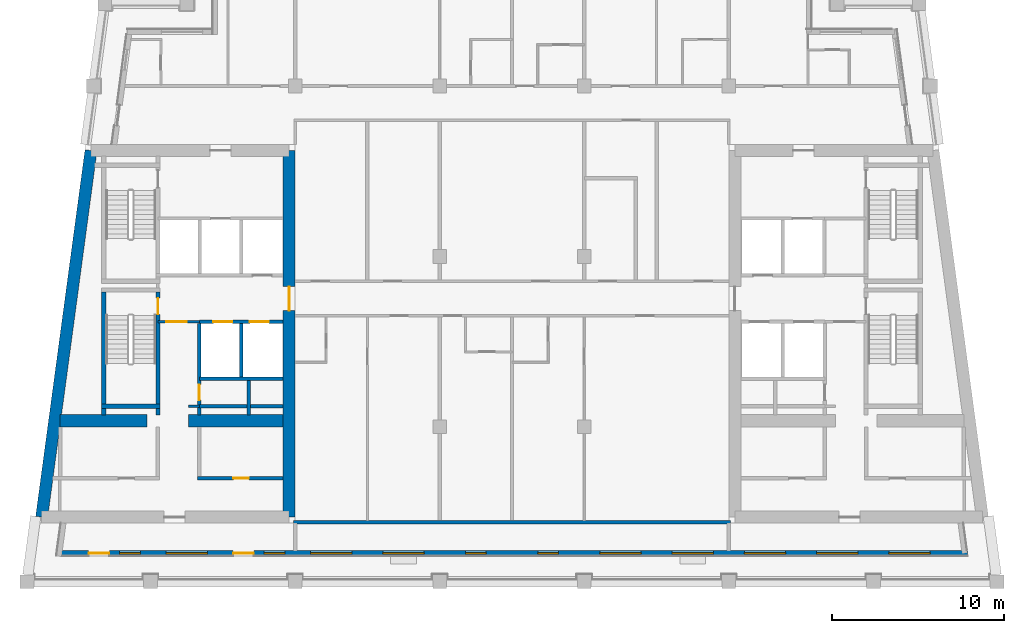
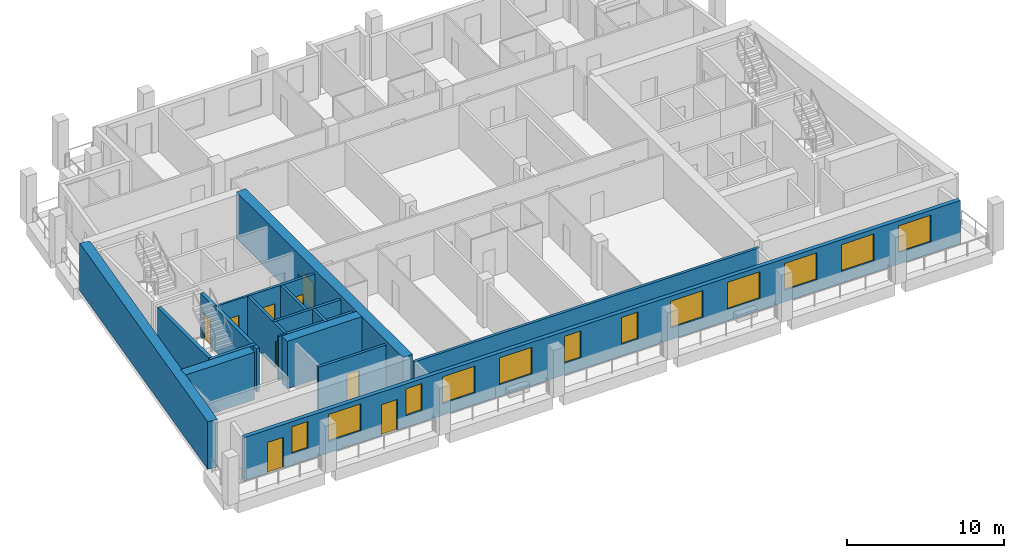
# One storey, part 2 of 13: 18 walls, 12 windows, 9 doors, 21 openings.
"""IFC4 building model written with IfcOpenShell, lengths in metres."""

from ifc_helpers import new_model, si_unit, direction, frame, frame_2d, origin, place, context, subcontext, project, spatial, rectangle, extrude, material, layer, layer_set, type_object, element, fill, save


model = new_model("IFC4")

# Units and contexts
model_context = context("Model", 3, precision=1e-05, world=origin(), true_north=direction((0.0, 1.0)))
body_context = subcontext(model_context, "Body", "Model", "MODEL_VIEW")
ifc_project = project(units=[si_unit("LENGTHUNIT", "METRE"), si_unit("AREAUNIT", "SQUARE_METRE"), si_unit("VOLUMEUNIT", "CUBIC_METRE"), si_unit("PLANEANGLEUNIT", "RADIAN"), si_unit("MASSUNIT", "GRAM", prefix="KILO")], contexts=[model_context])

# Site, building, storey
site_placement = place(None, origin())
site = spatial("IfcSite", under=ifc_project, at=site_placement, CompositionType="ELEMENT")
building_placement = place(site_placement, origin())
building = spatial("IfcBuilding", under=site, at=building_placement, Name="Candeia Pilgrim Tower and Theatre", CompositionType="ELEMENT")
storey_placement = place(building_placement, frame((0.0, 0.0, 262.699951171875)))
storey = spatial("IfcBuildingStorey", under=building, at=storey_placement, Name="L63", CompositionType="ELEMENT", Elevation=262.699951171875)

# Wall, opening, door
ifc_material_1 = material(Name="Concrete C40/50", Category="concrete")
ifc_layer_1 = layer(ifc_material_1, 0.699951171875)
ifc_layer_set_1 = layer_set([ifc_layer_1], Name="Core wall 700 C40/50")
wall_type_1 = type_object("IfcWallType", Name="Core wall 700 C40/50", PredefinedType="SHEAR", material=ifc_layer_set_1)
wall_1_placement = place(storey_placement, frame((100.449951171875, 132.050048828125, 0.0), z_axis=(0.0, 0.0, 1.0), x_axis=(0.0, -1.0, 0.0)))
wall_1 = element("IfcWall", 1, at=wall_1_placement, inside=storey, type_object=wall_type_1, Name="Core wall W2", PredefinedType="SHEAR", context=body_context, shape_type="SweptSolid", body=[
    extrude(rectangle(XDim=21.300048828125, YDim=0.699951171875, at=frame_2d((10.64990234375, 0.0))), origin(), (0.0, 0.0, 1.0), 3.699951171875),
])
opening_1_placement = place(wall_1_placement, frame((7.89990234375, 0.0, 0.0)))
opening_1 = element("IfcOpeningElement", 2, at=opening_1_placement, cuts=wall_1, Name="Opening L63-D044", PredefinedType="OPENING", context=body_context, shape_type="SweptSolid", body=[
    extrude(rectangle(XDim=1.39990234375, YDim=2.10009765625, at=frame_2d((0.699951171875, 1.050048828125))), frame((0.0, 0.35986328125, 0.0), z_axis=(0.0, -1.0, 0.0), x_axis=(1.0, 0.0, 0.0)), (0.0, 0.0, 1.0), 0.719970703125),
])
ifc_material_2 = material(Name="Steel fire door set", Category="steel")
door_type_1 = type_object("IfcDoorType", Name="D-1400-FD60", OperationType="NOTDEFINED", PredefinedType="DOOR", material=ifc_material_2)
door_1_placement = place(opening_1_placement, origin())
door_1 = element("IfcDoor", 3, at=door_1_placement, inside=storey, type_object=door_type_1, Name="Door L63-D044", OperationType="SINGLE_SWING_LEFT", OverallHeight=2.10009765625, OverallWidth=1.39990234375, PredefinedType="DOOR", context=body_context, shape_type="SweptSolid", body=[
    extrude(rectangle(XDim=1.39990234375, YDim=2.10009765625, at=frame_2d((0.699951171875, 1.050048828125))), frame((0.0, 0.02490234375, 0.0), z_axis=(0.0, -1.0, 0.0), x_axis=(1.0, 0.0, 0.0)), (0.0, 0.0, 1.0), 0.050048828125),
])
fill(opening_1, door_1)

# Walls
wall_2_placement = place(storey_placement, frame((86.069580078125, 110.75, 0.0), z_axis=(0.0, 0.0, 1.0), x_axis=(0.133406218907, 0.991061441464, 0.0)))
element("IfcWall", 4, at=wall_2_placement, inside=storey, type_object=wall_type_1, Name="Core wall W4", PredefinedType="SHEAR", context=body_context, shape_type="SweptSolid", body=[
    extrude(rectangle(XDim=21.4921875, YDim=0.699951171875, at=frame_2d((10.74609375, 0.0))), origin(), (0.0, 0.0, 1.0), 3.699951171875),
])
wall_3_placement = place(storey_placement, frame((87.123046875, 116.35009765625, 0.0), z_axis=(0.0, 0.0, 1.0), x_axis=(1.0, 0.0, 0.0)))
element("IfcWall", 5, at=wall_3_placement, inside=storey, type_object=wall_type_1, Name="Core wall W5", PredefinedType="SHEAR", context=body_context, shape_type="SweptSolid", body=[
    extrude(rectangle(XDim=5.076904296875, YDim=0.699951171875, at=frame_2d((2.53857421875, 0.0))), origin(), (0.0, 0.0, 1.0), 3.699951171875),
])
wall_4_placement = place(storey_placement, frame((94.60009765625, 116.35009765625, 0.0), z_axis=(0.0, 0.0, 1.0), x_axis=(1.0, 0.0, 0.0)))
element("IfcWall", 6, at=wall_4_placement, inside=storey, type_object=wall_type_1, Name="Core wall W6", PredefinedType="SHEAR", context=body_context, shape_type="SweptSolid", body=[
    extrude(rectangle(XDim=5.5, YDim=0.699951171875, at=frame_2d((2.75, 0.0))), origin(), (0.0, 0.0, 1.0), 3.699951171875),
])

# Wall, openings, doors, windows
ifc_material_3 = material(Name="Ceramic block masonry", Category="masonry")
ifc_layer_2 = layer(ifc_material_3, 0.300048828125)
ifc_layer_set_2 = layer_set([ifc_layer_2], Name="EW1 glazing-line wall 300")
wall_type_2 = type_object("IfcWallType", Name="EW1 glazing-line wall 300", PredefinedType="SOLIDWALL", material=ifc_layer_set_2)
wall_5_placement = place(storey_placement, frame((87.0986328125, 108.64990234375, 0.0), z_axis=(0.0, 0.0, 1.0), x_axis=(1.0, 0.0, 0.0)))
wall_5 = element("IfcWall", 7, at=wall_5_placement, inside=storey, type_object=wall_type_2, Name="External wall L63-1.0", PredefinedType="SOLIDWALL", context=body_context, shape_type="SweptSolid", body=[
    extrude(rectangle(XDim=52.7744140625, YDim=0.300048828125, at=frame_2d((26.38720703125, 0.0))), origin(), (0.0, 0.0, 1.0), 3.380126953125),
])
opening_2_placement = place(wall_5_placement, frame((1.701416015625, 0.0, 0.0)))
opening_2 = element("IfcOpeningElement", 8, at=opening_2_placement, cuts=wall_5, Name="Opening L63-ED597", PredefinedType="OPENING", context=body_context, shape_type="SweptSolid", body=[
    extrude(rectangle(XDim=1.199951171875, YDim=2.39990234375, at=frame_2d((0.60009765625, 1.199951171875))), frame((0.0, 0.16015625, 0.0), z_axis=(0.0, -1.0, 0.0), x_axis=(1.0, 0.0, 0.0)), (0.0, 0.0, 1.0), 0.320068359375),
])
opening_3_placement = place(wall_5_placement, frame((3.50146484375, 0.0, 0.89990234375)))
opening_3 = element("IfcOpeningElement", 9, at=opening_3_placement, cuts=wall_5, Name="Opening W-B", PredefinedType="OPENING", context=body_context, shape_type="SweptSolid", body=[
    extrude(rectangle(XDim=1.199951171875, YDim=2.10009765625, at=frame_2d((0.60009765625, 1.050048828125))), frame((0.0, 0.16015625, 0.0), z_axis=(0.0, -1.0, 0.0), x_axis=(1.0, 0.0, 0.0)), (0.0, 0.0, 1.0), 0.320068359375),
])
opening_4_placement = place(wall_5_placement, frame((6.201416015625, 0.0, 0.89990234375)))
opening_4 = element("IfcOpeningElement", 10, at=opening_4_placement, cuts=wall_5, Name="Opening W-A", PredefinedType="OPENING", context=body_context, shape_type="SweptSolid", body=[
    extrude(rectangle(XDim=2.39990234375, YDim=2.10009765625, at=frame_2d((1.199951171875, 1.050048828125))), frame((0.0, 0.16015625, 0.0), z_axis=(0.0, -1.0, 0.0), x_axis=(1.0, 0.0, 0.0)), (0.0, 0.0, 1.0), 0.320068359375),
])
opening_5_placement = place(wall_5_placement, frame((10.1015625, 0.0, 0.0)))
opening_5 = element("IfcOpeningElement", 11, at=opening_5_placement, cuts=wall_5, Name="Opening L63-ED598", PredefinedType="OPENING", context=body_context, shape_type="SweptSolid", body=[
    extrude(rectangle(XDim=1.199951171875, YDim=2.39990234375, at=frame_2d((0.60009765625, 1.199951171875))), frame((0.0, 0.16015625, 0.0), z_axis=(0.0, -1.0, 0.0), x_axis=(1.0, 0.0, 0.0)), (0.0, 0.0, 1.0), 0.320068359375),
])
opening_6_placement = place(wall_5_placement, frame((11.9013671875, 0.0, 0.89990234375)))
opening_6 = element("IfcOpeningElement", 12, at=opening_6_placement, cuts=wall_5, Name="Opening W-B", PredefinedType="OPENING", context=body_context, shape_type="SweptSolid", body=[
    extrude(rectangle(XDim=1.199951171875, YDim=2.10009765625, at=frame_2d((0.60009765625, 1.050048828125))), frame((0.0, 0.16015625, 0.0), z_axis=(0.0, -1.0, 0.0), x_axis=(1.0, 0.0, 0.0)), (0.0, 0.0, 1.0), 0.320068359375),
])
opening_7_placement = place(wall_5_placement, frame((14.6015625, 0.0, 0.89990234375)))
opening_7 = element("IfcOpeningElement", 13, at=opening_7_placement, cuts=wall_5, Name="Opening W-A", PredefinedType="OPENING", context=body_context, shape_type="SweptSolid", body=[
    extrude(rectangle(XDim=2.39990234375, YDim=2.10009765625, at=frame_2d((1.199951171875, 1.050048828125))), frame((0.0, 0.16015625, 0.0), z_axis=(0.0, -1.0, 0.0), x_axis=(1.0, 0.0, 0.0)), (0.0, 0.0, 1.0), 0.320068359375),
])
opening_8_placement = place(wall_5_placement, frame((18.801513671875, 0.0, 0.89990234375)))
opening_8 = element("IfcOpeningElement", 14, at=opening_8_placement, cuts=wall_5, Name="Opening W-A", PredefinedType="OPENING", context=body_context, shape_type="SweptSolid", body=[
    extrude(rectangle(XDim=2.39990234375, YDim=2.10009765625, at=frame_2d((1.199951171875, 1.050048828125))), frame((0.0, 0.16015625, 0.0), z_axis=(0.0, -1.0, 0.0), x_axis=(1.0, 0.0, 0.0)), (0.0, 0.0, 1.0), 0.320068359375),
])
opening_9_placement = place(wall_5_placement, frame((23.6015625, 0.0, 0.89990234375)))
opening_9 = element("IfcOpeningElement", 15, at=opening_9_placement, cuts=wall_5, Name="Opening W-B", PredefinedType="OPENING", context=body_context, shape_type="SweptSolid", body=[
    extrude(rectangle(XDim=1.199951171875, YDim=2.10009765625, at=frame_2d((0.60009765625, 1.050048828125))), frame((0.0, 0.16015625, 0.0), z_axis=(0.0, -1.0, 0.0), x_axis=(1.0, 0.0, 0.0)), (0.0, 0.0, 1.0), 0.320068359375),
])
opening_10_placement = place(wall_5_placement, frame((27.801513671875, 0.0, 0.89990234375)))
opening_10 = element("IfcOpeningElement", 16, at=opening_10_placement, cuts=wall_5, Name="Opening W-B", PredefinedType="OPENING", context=body_context, shape_type="SweptSolid", body=[
    extrude(rectangle(XDim=1.199951171875, YDim=2.10009765625, at=frame_2d((0.60009765625, 1.050048828125))), frame((0.0, 0.16015625, 0.0), z_axis=(0.0, -1.0, 0.0), x_axis=(1.0, 0.0, 0.0)), (0.0, 0.0, 1.0), 0.320068359375),
])
opening_11_placement = place(wall_5_placement, frame((31.4013671875, 0.0, 0.89990234375)))
opening_11 = element("IfcOpeningElement", 17, at=opening_11_placement, cuts=wall_5, Name="Opening W-A", PredefinedType="OPENING", context=body_context, shape_type="SweptSolid", body=[
    extrude(rectangle(XDim=2.39990234375, YDim=2.10009765625, at=frame_2d((1.199951171875, 1.050048828125))), frame((0.0, 0.16015625, 0.0), z_axis=(0.0, -1.0, 0.0), x_axis=(1.0, 0.0, 0.0)), (0.0, 0.0, 1.0), 0.320068359375),
])
opening_12_placement = place(wall_5_placement, frame((35.6015625, 0.0, 0.89990234375)))
opening_12 = element("IfcOpeningElement", 18, at=opening_12_placement, cuts=wall_5, Name="Opening W-A", PredefinedType="OPENING", context=body_context, shape_type="SweptSolid", body=[
    extrude(rectangle(XDim=2.39990234375, YDim=2.10009765625, at=frame_2d((1.199951171875, 1.050048828125))), frame((0.0, 0.16015625, 0.0), z_axis=(0.0, -1.0, 0.0), x_axis=(1.0, 0.0, 0.0)), (0.0, 0.0, 1.0), 0.320068359375),
])
opening_13_placement = place(wall_5_placement, frame((39.801513671875, 0.0, 0.89990234375)))
opening_13 = element("IfcOpeningElement", 19, at=opening_13_placement, cuts=wall_5, Name="Opening W-A", PredefinedType="OPENING", context=body_context, shape_type="SweptSolid", body=[
    extrude(rectangle(XDim=2.39990234375, YDim=2.10009765625, at=frame_2d((1.199951171875, 1.050048828125))), frame((0.0, 0.16015625, 0.0), z_axis=(0.0, -1.0, 0.0), x_axis=(1.0, 0.0, 0.0)), (0.0, 0.0, 1.0), 0.320068359375),
])
opening_14_placement = place(wall_5_placement, frame((44.00146484375, 0.0, 0.89990234375)))
opening_14 = element("IfcOpeningElement", 20, at=opening_14_placement, cuts=wall_5, Name="Opening W-A", PredefinedType="OPENING", context=body_context, shape_type="SweptSolid", body=[
    extrude(rectangle(XDim=2.39990234375, YDim=2.10009765625, at=frame_2d((1.199951171875, 1.050048828125))), frame((0.0, 0.16015625, 0.0), z_axis=(0.0, -1.0, 0.0), x_axis=(1.0, 0.0, 0.0)), (0.0, 0.0, 1.0), 0.320068359375),
])
opening_15_placement = place(wall_5_placement, frame((48.201416015625, 0.0, 0.89990234375)))
opening_15 = element("IfcOpeningElement", 21, at=opening_15_placement, cuts=wall_5, Name="Opening W-A", PredefinedType="OPENING", context=body_context, shape_type="SweptSolid", body=[
    extrude(rectangle(XDim=2.39990234375, YDim=2.10009765625, at=frame_2d((1.199951171875, 1.050048828125))), frame((0.0, 0.16015625, 0.0), z_axis=(0.0, -1.0, 0.0), x_axis=(1.0, 0.0, 0.0)), (0.0, 0.0, 1.0), 0.320068359375),
])
ifc_material_4 = material(Name="Aluminium framed glazed door", Category="aluminium")
door_type_2 = type_object("IfcDoorType", Name="Loggia door 1200x2400", OperationType="DOUBLE_DOOR_SINGLE_SWING", PredefinedType="DOOR", material=ifc_material_4)
door_2_placement = place(opening_2_placement, origin())
door_2 = element("IfcDoor", 22, at=door_2_placement, inside=storey, type_object=door_type_2, Name="Loggia door L63-ED597", OperationType="DOUBLE_DOOR_SINGLE_SWING", OverallHeight=2.39990234375, OverallWidth=1.199951171875, PredefinedType="DOOR", context=body_context, shape_type="SweptSolid", body=[
    extrude(rectangle(XDim=1.199951171875, YDim=2.39990234375, at=frame_2d((0.60009765625, 1.199951171875))), frame((0.0, 0.02490234375, 0.0), z_axis=(0.0, -1.0, 0.0), x_axis=(1.0, 0.0, 0.0)), (0.0, 0.0, 1.0), 0.050048828125),
])
fill(opening_2, door_2)
door_3_placement = place(opening_5_placement, origin())
door_3 = element("IfcDoor", 23, at=door_3_placement, inside=storey, type_object=door_type_2, Name="Loggia door L63-ED598", OperationType="DOUBLE_DOOR_SINGLE_SWING", OverallHeight=2.39990234375, OverallWidth=1.199951171875, PredefinedType="DOOR", context=body_context, shape_type="SweptSolid", body=[
    extrude(rectangle(XDim=1.199951171875, YDim=2.39990234375, at=frame_2d((0.60009765625, 1.199951171875))), frame((0.0, 0.02490234375, 0.0), z_axis=(0.0, -1.0, 0.0), x_axis=(1.0, 0.0, 0.0)), (0.0, 0.0, 1.0), 0.050048828125),
])
fill(opening_5, door_3)
ifc_material_5 = material(Name="Aluminium framed double glazing", Category="aluminium")
window_type_1 = type_object("IfcWindowType", Name="W-A window 2400x2100", PartitioningType="DOUBLE_PANEL_VERTICAL", PredefinedType="WINDOW", material=ifc_material_5)
window_1_placement = place(opening_4_placement, origin())
window_1 = element("IfcWindow", 24, at=window_1_placement, inside=storey, type_object=window_type_1, Name="Window W-A L63", OverallHeight=2.10009765625, OverallWidth=2.39990234375, PartitioningType="SINGLE_PANEL", PredefinedType="WINDOW", context=body_context, shape_type="SweptSolid", body=[
    extrude(rectangle(XDim=2.39990234375, YDim=2.10009765625, at=frame_2d((1.199951171875, 1.050048828125))), frame((0.0, 0.030029296875, 0.0), z_axis=(0.0, -1.0, 0.0), x_axis=(1.0, 0.0, 0.0)), (0.0, 0.0, 1.0), 0.06005859375),
])
fill(opening_4, window_1)
window_2_placement = place(opening_7_placement, origin())
window_2 = element("IfcWindow", 25, at=window_2_placement, inside=storey, type_object=window_type_1, Name="Window W-A L63", OverallHeight=2.10009765625, OverallWidth=2.39990234375, PartitioningType="SINGLE_PANEL", PredefinedType="WINDOW", context=body_context, shape_type="SweptSolid", body=[
    extrude(rectangle(XDim=2.39990234375, YDim=2.10009765625, at=frame_2d((1.199951171875, 1.050048828125))), frame((0.0, 0.030029296875, 0.0), z_axis=(0.0, -1.0, 0.0), x_axis=(1.0, 0.0, 0.0)), (0.0, 0.0, 1.0), 0.06005859375),
])
fill(opening_7, window_2)
window_3_placement = place(opening_8_placement, origin())
window_3 = element("IfcWindow", 26, at=window_3_placement, inside=storey, type_object=window_type_1, Name="Window W-A L63", OverallHeight=2.10009765625, OverallWidth=2.39990234375, PartitioningType="SINGLE_PANEL", PredefinedType="WINDOW", context=body_context, shape_type="SweptSolid", body=[
    extrude(rectangle(XDim=2.39990234375, YDim=2.10009765625, at=frame_2d((1.199951171875, 1.050048828125))), frame((0.0, 0.030029296875, 0.0), z_axis=(0.0, -1.0, 0.0), x_axis=(1.0, 0.0, 0.0)), (0.0, 0.0, 1.0), 0.06005859375),
])
fill(opening_8, window_3)
window_4_placement = place(opening_11_placement, origin())
window_4 = element("IfcWindow", 27, at=window_4_placement, inside=storey, type_object=window_type_1, Name="Window W-A L63", OverallHeight=2.10009765625, OverallWidth=2.39990234375, PartitioningType="SINGLE_PANEL", PredefinedType="WINDOW", context=body_context, shape_type="SweptSolid", body=[
    extrude(rectangle(XDim=2.39990234375, YDim=2.10009765625, at=frame_2d((1.199951171875, 1.050048828125))), frame((0.0, 0.030029296875, 0.0), z_axis=(0.0, -1.0, 0.0), x_axis=(1.0, 0.0, 0.0)), (0.0, 0.0, 1.0), 0.06005859375),
])
fill(opening_11, window_4)
window_5_placement = place(opening_12_placement, origin())
window_5 = element("IfcWindow", 28, at=window_5_placement, inside=storey, type_object=window_type_1, Name="Window W-A L63", OverallHeight=2.10009765625, OverallWidth=2.39990234375, PartitioningType="SINGLE_PANEL", PredefinedType="WINDOW", context=body_context, shape_type="SweptSolid", body=[
    extrude(rectangle(XDim=2.39990234375, YDim=2.10009765625, at=frame_2d((1.199951171875, 1.050048828125))), frame((0.0, 0.030029296875, 0.0), z_axis=(0.0, -1.0, 0.0), x_axis=(1.0, 0.0, 0.0)), (0.0, 0.0, 1.0), 0.06005859375),
])
fill(opening_12, window_5)
window_6_placement = place(opening_13_placement, origin())
window_6 = element("IfcWindow", 29, at=window_6_placement, inside=storey, type_object=window_type_1, Name="Window W-A L63", OverallHeight=2.10009765625, OverallWidth=2.39990234375, PartitioningType="SINGLE_PANEL", PredefinedType="WINDOW", context=body_context, shape_type="SweptSolid", body=[
    extrude(rectangle(XDim=2.39990234375, YDim=2.10009765625, at=frame_2d((1.199951171875, 1.050048828125))), frame((0.0, 0.030029296875, 0.0), z_axis=(0.0, -1.0, 0.0), x_axis=(1.0, 0.0, 0.0)), (0.0, 0.0, 1.0), 0.06005859375),
])
fill(opening_13, window_6)
window_7_placement = place(opening_14_placement, origin())
window_7 = element("IfcWindow", 30, at=window_7_placement, inside=storey, type_object=window_type_1, Name="Window W-A L63", OverallHeight=2.10009765625, OverallWidth=2.39990234375, PartitioningType="SINGLE_PANEL", PredefinedType="WINDOW", context=body_context, shape_type="SweptSolid", body=[
    extrude(rectangle(XDim=2.39990234375, YDim=2.10009765625, at=frame_2d((1.199951171875, 1.050048828125))), frame((0.0, 0.030029296875, 0.0), z_axis=(0.0, -1.0, 0.0), x_axis=(1.0, 0.0, 0.0)), (0.0, 0.0, 1.0), 0.06005859375),
])
fill(opening_14, window_7)
window_8_placement = place(opening_15_placement, origin())
window_8 = element("IfcWindow", 31, at=window_8_placement, inside=storey, type_object=window_type_1, Name="Window W-A L63", OverallHeight=2.10009765625, OverallWidth=2.39990234375, PartitioningType="SINGLE_PANEL", PredefinedType="WINDOW", context=body_context, shape_type="SweptSolid", body=[
    extrude(rectangle(XDim=2.39990234375, YDim=2.10009765625, at=frame_2d((1.199951171875, 1.050048828125))), frame((0.0, 0.030029296875, 0.0), z_axis=(0.0, -1.0, 0.0), x_axis=(1.0, 0.0, 0.0)), (0.0, 0.0, 1.0), 0.06005859375),
])
fill(opening_15, window_8)
window_type_2 = type_object("IfcWindowType", Name="W-B window 1200x2100", PartitioningType="SINGLE_PANEL", PredefinedType="WINDOW", material=ifc_material_5)
window_9_placement = place(opening_3_placement, origin())
window_9 = element("IfcWindow", 32, at=window_9_placement, inside=storey, type_object=window_type_2, Name="Window W-B L63", OverallHeight=2.10009765625, OverallWidth=1.199951171875, PartitioningType="SINGLE_PANEL", PredefinedType="WINDOW", context=body_context, shape_type="SweptSolid", body=[
    extrude(rectangle(XDim=1.199951171875, YDim=2.10009765625, at=frame_2d((0.60009765625, 1.050048828125))), frame((0.0, 0.030029296875, 0.0), z_axis=(0.0, -1.0, 0.0), x_axis=(1.0, 0.0, 0.0)), (0.0, 0.0, 1.0), 0.06005859375),
])
fill(opening_3, window_9)
window_10_placement = place(opening_6_placement, origin())
window_10 = element("IfcWindow", 33, at=window_10_placement, inside=storey, type_object=window_type_2, Name="Window W-B L63", OverallHeight=2.10009765625, OverallWidth=1.199951171875, PartitioningType="SINGLE_PANEL", PredefinedType="WINDOW", context=body_context, shape_type="SweptSolid", body=[
    extrude(rectangle(XDim=1.199951171875, YDim=2.10009765625, at=frame_2d((0.60009765625, 1.050048828125))), frame((0.0, 0.030029296875, 0.0), z_axis=(0.0, -1.0, 0.0), x_axis=(1.0, 0.0, 0.0)), (0.0, 0.0, 1.0), 0.06005859375),
])
fill(opening_6, window_10)
window_11_placement = place(opening_9_placement, origin())
window_11 = element("IfcWindow", 34, at=window_11_placement, inside=storey, type_object=window_type_2, Name="Window W-B L63", OverallHeight=2.10009765625, OverallWidth=1.199951171875, PartitioningType="SINGLE_PANEL", PredefinedType="WINDOW", context=body_context, shape_type="SweptSolid", body=[
    extrude(rectangle(XDim=1.199951171875, YDim=2.10009765625, at=frame_2d((0.60009765625, 1.050048828125))), frame((0.0, 0.030029296875, 0.0), z_axis=(0.0, -1.0, 0.0), x_axis=(1.0, 0.0, 0.0)), (0.0, 0.0, 1.0), 0.06005859375),
])
fill(opening_9, window_11)
window_12_placement = place(opening_10_placement, origin())
window_12 = element("IfcWindow", 35, at=window_12_placement, inside=storey, type_object=window_type_2, Name="Window W-B L63", OverallHeight=2.10009765625, OverallWidth=1.199951171875, PartitioningType="SINGLE_PANEL", PredefinedType="WINDOW", context=body_context, shape_type="SweptSolid", body=[
    extrude(rectangle(XDim=1.199951171875, YDim=2.10009765625, at=frame_2d((0.60009765625, 1.050048828125))), frame((0.0, 0.030029296875, 0.0), z_axis=(0.0, -1.0, 0.0), x_axis=(1.0, 0.0, 0.0)), (0.0, 0.0, 1.0), 0.06005859375),
])
fill(opening_10, window_12)

# Wall
ifc_material_6 = material(Name="Gypsum board partition on steel studs", Category="steel")
ifc_layer_3 = layer(ifc_material_6, 0.14990234375)
ifc_layer_set_3 = layer_set([ifc_layer_3], Name="PW-150 lobby wall")
wall_type_3 = type_object("IfcWallType", Name="PW-150 lobby wall", PredefinedType="PARTITIONING", material=ifc_layer_set_3)
wall_6_placement = place(storey_placement, frame((94.60009765625, 117.199951171875, 0.0), z_axis=(0.0, 0.0, 1.0), x_axis=(1.0, 0.0, 0.0)))
element("IfcWall", 36, at=wall_6_placement, inside=storey, type_object=wall_type_3, Name="Lobby wall L63-008", PredefinedType="PARTITIONING", context=body_context, shape_type="SweptSolid", body=[
    extrude(rectangle(XDim=0.626953125, YDim=0.14990234375, at=frame_2d((0.3134765625, 0.0))), origin(), (0.0, 0.0, 1.0), 3.380126953125),
])

# Wall, opening, door
wall_7_placement = place(storey_placement, frame((92.826904296875, 122.10009765625, 0.0), z_axis=(0.0, 0.0, 1.0), x_axis=(1.0, 0.0, 0.0)))
wall_7 = element("IfcWall", 37, at=wall_7_placement, inside=storey, type_object=wall_type_3, Name="Lobby wall L63-019", PredefinedType="PARTITIONING", context=body_context, shape_type="SweptSolid", body=[
    extrude(rectangle(XDim=2.400146484375, YDim=0.14990234375, at=frame_2d((1.2001953125, 0.0))), origin(), (0.0, 0.0, 1.0), 3.380126953125),
])
opening_16_placement = place(wall_7_placement, frame((0.47509765625, 0.0, 0.0)))
opening_16 = element("IfcOpeningElement", 38, at=opening_16_placement, cuts=wall_7, Name="Opening L63-D001", PredefinedType="OPENING", context=body_context, shape_type="SweptSolid", body=[
    extrude(rectangle(XDim=1.199951171875, YDim=2.10009765625, at=frame_2d((0.60009765625, 1.050048828125))), frame((0.0, 0.0849609375, 0.0), z_axis=(0.0, -1.0, 0.0), x_axis=(1.0, 0.0, 0.0)), (0.0, 0.0, 1.0), 0.169921875),
])
door_type_3 = type_object("IfcDoorType", Name="D-1200-FD60", OperationType="NOTDEFINED", PredefinedType="DOOR", material=ifc_material_2)
door_4_placement = place(opening_16_placement, origin())
door_4 = element("IfcDoor", 39, at=door_4_placement, inside=storey, type_object=door_type_3, Name="Door L63-D001", OperationType="SINGLE_SWING_RIGHT", OverallHeight=2.10009765625, OverallWidth=1.199951171875, PredefinedType="DOOR", context=body_context, shape_type="SweptSolid", body=[
    extrude(rectangle(XDim=1.199951171875, YDim=2.10009765625, at=frame_2d((0.60009765625, 1.050048828125))), frame((0.0, 0.02490234375, 0.0), z_axis=(0.0, -1.0, 0.0), x_axis=(1.0, 0.0, 0.0)), (0.0, 0.0, 1.0), 0.050048828125),
])
fill(opening_16, door_4)

# Wall
ifc_layer_4 = layer(ifc_material_6, 0.199951171875)
ifc_layer_set_4 = layer_set([ifc_layer_4], Name="PW-200 party wall")
wall_type_4 = type_object("IfcWallType", Name="PW-200 party wall", PredefinedType="PARTITIONING", material=ifc_layer_set_4)
wall_8_placement = place(storey_placement, frame((100.699951171875, 110.449951171875, 0.0), z_axis=(0.0, 0.0, 1.0), x_axis=(1.0, 0.0, 0.0)))
element("IfcWall", 40, at=wall_8_placement, inside=storey, type_object=wall_type_4, Name="Party wall L63-001", PredefinedType="PARTITIONING", context=body_context, shape_type="SweptSolid", body=[
    extrude(rectangle(XDim=25.400146484375, YDim=0.199951171875, at=frame_2d((12.7001953125, 0.0))), origin(), (0.0, 0.0, 1.0), 3.380126953125),
])

# Wall, opening, door
ifc_layer_5 = layer(ifc_material_1, 0.199951171875)
ifc_layer_set_5 = layer_set([ifc_layer_5], Name="SW-200 shaft wall")
wall_type_5 = type_object("IfcWallType", Name="SW-200 shaft wall", PredefinedType="PARTITIONING", material=ifc_layer_set_5)
wall_9_placement = place(storey_placement, frame((95.126953125, 113.0, 0.0), z_axis=(0.0, 0.0, 1.0), x_axis=(1.0, 0.0, 0.0)))
wall_9 = element("IfcWall", 41, at=wall_9_placement, inside=storey, type_object=wall_type_5, Name="Shaft wall L63-003", PredefinedType="PARTITIONING", context=body_context, shape_type="SweptSolid", body=[
    extrude(rectangle(XDim=4.97314453125, YDim=0.199951171875, at=frame_2d((2.486572265625, 0.0))), origin(), (0.0, 0.0, 1.0), 3.380126953125),
])
opening_17_placement = place(wall_9_placement, frame((2.0869140625, 0.0, 0.0)))
opening_17 = element("IfcOpeningElement", 42, at=opening_17_placement, cuts=wall_9, Name="Opening L63-D006", PredefinedType="OPENING", context=body_context, shape_type="SweptSolid", body=[
    extrude(rectangle(XDim=0.89990234375, YDim=2.10009765625, at=frame_2d((0.449951171875, 1.050048828125))), frame((0.0, 0.10986328125, 0.0), z_axis=(0.0, -1.0, 0.0), x_axis=(1.0, 0.0, 0.0)), (0.0, 0.0, 1.0), 0.219970703125),
])
door_type_4 = type_object("IfcDoorType", Name="D-900-FD60", OperationType="NOTDEFINED", PredefinedType="DOOR", material=ifc_material_2)
door_5_placement = place(opening_17_placement, origin())
door_5 = element("IfcDoor", 43, at=door_5_placement, inside=storey, type_object=door_type_4, Name="Door L63-D006", OperationType="SINGLE_SWING_LEFT", OverallHeight=2.10009765625, OverallWidth=0.89990234375, PredefinedType="DOOR", context=body_context, shape_type="SweptSolid", body=[
    extrude(rectangle(XDim=0.89990234375, YDim=2.10009765625, at=frame_2d((0.449951171875, 1.050048828125))), frame((0.0, 0.02490234375, 0.0), z_axis=(0.0, -1.0, 0.0), x_axis=(1.0, 0.0, 0.0)), (0.0, 0.0, 1.0), 0.050048828125),
])
fill(opening_17, door_5)

# Walls
for number, where, z_axis, x_axis, name in (
    (44, (95.22705078125, 117.199951171875, 0.0), (0.0, 0.0, 1.0), (1.0, 0.0, 0.0), "Shaft wall L63-006"),
    (45, (95.22705078125, 118.800048828125, 0.0), (0.0, 0.0, 1.0), (1.0, 0.0, 0.0), "Shaft wall L63-012"),
):
    element("IfcWall", number, at=place(storey_placement, frame(where, z_axis=z_axis, x_axis=x_axis)), inside=storey, type_object=wall_type_5, Name=name, PredefinedType="PARTITIONING", context=body_context, shape_type="SweptSolid", body=[
        extrude(rectangle(XDim=4.873046875, YDim=0.199951171875, at=frame_2d((2.4365234375, 0.0))), origin(), (0.0, 0.0, 1.0), 3.380126953125),
    ])

# Wall, openings, doors
wall_10_placement = place(storey_placement, frame((95.22705078125, 122.10009765625, 0.0), z_axis=(0.0, 0.0, 1.0), x_axis=(1.0, 0.0, 0.0)))
wall_10 = element("IfcWall", 46, at=wall_10_placement, inside=storey, type_object=wall_type_5, Name="Shaft wall L63-017", PredefinedType="PARTITIONING", context=body_context, shape_type="SweptSolid", body=[
    extrude(rectangle(XDim=4.873046875, YDim=0.199951171875, at=frame_2d((2.4365234375, 0.0))), origin(), (0.0, 0.0, 1.0), 3.380126953125),
])
opening_18_placement = place(wall_10_placement, frame((0.826904296875, 0.0, 0.0)))
opening_18 = element("IfcOpeningElement", 47, at=opening_18_placement, cuts=wall_10, Name="Opening L63-LD01", PredefinedType="OPENING", context=body_context, shape_type="SweptSolid", body=[
    extrude(rectangle(XDim=1.10009765625, YDim=2.10009765625, at=frame_2d((0.550048828125, 1.050048828125))), frame((0.0, 0.10986328125, 0.0), z_axis=(0.0, -1.0, 0.0), x_axis=(1.0, 0.0, 0.0)), (0.0, 0.0, 1.0), 0.219970703125),
])
opening_19_placement = place(wall_10_placement, frame((2.946044921875, 0.0, 0.0)))
opening_19 = element("IfcOpeningElement", 48, at=opening_19_placement, cuts=wall_10, Name="Opening L63-LD02", PredefinedType="OPENING", context=body_context, shape_type="SweptSolid", body=[
    extrude(rectangle(XDim=1.10009765625, YDim=2.10009765625, at=frame_2d((0.550048828125, 1.050048828125))), frame((0.0, 0.10986328125, 0.0), z_axis=(0.0, -1.0, 0.0), x_axis=(1.0, 0.0, 0.0)), (0.0, 0.0, 1.0), 0.219970703125),
])
ifc_material_7 = material(Name="Glazed aluminium landing door", Category="aluminium")
door_type_5 = type_object("IfcDoorType", Name="LD-1100-EI120", OperationType="SLIDING_TO_LEFT", PredefinedType="DOOR", material=ifc_material_7)
door_6_placement = place(opening_18_placement, origin())
door_6 = element("IfcDoor", 49, at=door_6_placement, inside=storey, type_object=door_type_5, Name="Landing door 01 L63", OperationType="SLIDING_TO_LEFT", OverallHeight=2.10009765625, OverallWidth=1.10009765625, PredefinedType="DOOR", context=body_context, shape_type="SweptSolid", body=[
    extrude(rectangle(XDim=1.10009765625, YDim=2.10009765625, at=frame_2d((0.550048828125, 1.050048828125))), frame((0.0, 0.02490234375, 0.0), z_axis=(0.0, -1.0, 0.0), x_axis=(1.0, 0.0, 0.0)), (0.0, 0.0, 1.0), 0.050048828125),
])
fill(opening_18, door_6)
door_7_placement = place(opening_19_placement, origin())
door_7 = element("IfcDoor", 50, at=door_7_placement, inside=storey, type_object=door_type_5, Name="Landing door 02 L63", OperationType="SLIDING_TO_LEFT", OverallHeight=2.10009765625, OverallWidth=1.10009765625, PredefinedType="DOOR", context=body_context, shape_type="SweptSolid", body=[
    extrude(rectangle(XDim=1.10009765625, YDim=2.10009765625, at=frame_2d((0.550048828125, 1.050048828125))), frame((0.0, 0.02490234375, 0.0), z_axis=(0.0, -1.0, 0.0), x_axis=(1.0, 0.0, 0.0)), (0.0, 0.0, 1.0), 0.050048828125),
])
fill(opening_19, door_7)

# Wall, opening, door
wall_11_placement = place(storey_placement, frame((95.22705078125, 116.669921875, 0.0), z_axis=(0.0, 0.0, 1.0), x_axis=(0.0, 1.0, 0.0)))
wall_11 = element("IfcWall", 51, at=wall_11_placement, inside=storey, type_object=wall_type_5, Name="Shaft wall L63-053", PredefinedType="PARTITIONING", context=body_context, shape_type="SweptSolid", body=[
    extrude(rectangle(XDim=5.330078125, YDim=0.199951171875, at=frame_2d((2.6650390625, 0.0))), origin(), (0.0, 0.0, 1.0), 3.380126953125),
])
opening_20_placement = place(wall_11_placement, frame((0.8798828125, 0.0, 0.0)))
opening_20 = element("IfcOpeningElement", 52, at=opening_20_placement, cuts=wall_11, Name="Opening L63-D004", PredefinedType="OPENING", context=body_context, shape_type="SweptSolid", body=[
    extrude(rectangle(XDim=0.89990234375, YDim=2.10009765625, at=frame_2d((0.449951171875, 1.050048828125))), frame((0.0, 0.10986328125, 0.0), z_axis=(0.0, -1.0, 0.0), x_axis=(1.0, 0.0, 0.0)), (0.0, 0.0, 1.0), 0.219970703125),
])
door_8_placement = place(opening_20_placement, origin())
door_8 = element("IfcDoor", 53, at=door_8_placement, inside=storey, type_object=door_type_4, Name="Door L63-D004", OperationType="SINGLE_SWING_LEFT", OverallHeight=2.10009765625, OverallWidth=0.89990234375, PredefinedType="DOOR", context=body_context, shape_type="SweptSolid", body=[
    extrude(rectangle(XDim=0.89990234375, YDim=2.10009765625, at=frame_2d((0.449951171875, 1.050048828125))), frame((0.0, 0.02490234375, 0.0), z_axis=(0.0, -1.0, 0.0), x_axis=(1.0, 0.0, 0.0)), (0.0, 0.0, 1.0), 0.050048828125),
])
fill(opening_20, door_8)

# Walls
wall_12_placement = place(storey_placement, frame((97.66357421875, 118.89990234375, 0.0), z_axis=(0.0, 0.0, 1.0), x_axis=(0.0, 1.0, 0.0)))
element("IfcWall", 54, at=wall_12_placement, inside=storey, type_object=wall_type_5, Name="Shaft wall L63-056", PredefinedType="PARTITIONING", context=body_context, shape_type="SweptSolid", body=[
    extrude(rectangle(XDim=3.10009765625, YDim=0.199951171875, at=frame_2d((1.550048828125, 0.0))), origin(), (0.0, 0.0, 1.0), 3.380126953125),
])
wall_13_placement = place(storey_placement, frame((98.10009765625, 116.669921875, 0.0), z_axis=(0.0, 0.0, 1.0), x_axis=(0.0, 1.0, 0.0)))
element("IfcWall", 55, at=wall_13_placement, inside=storey, type_object=wall_type_5, Name="Shaft wall L63-058", PredefinedType="PARTITIONING", context=body_context, shape_type="SweptSolid", body=[
    extrude(rectangle(XDim=2.030029296875, YDim=0.199951171875, at=frame_2d((1.01513671875, 0.0))), origin(), (0.0, 0.0, 1.0), 3.380126953125),
])
ifc_layer_6 = layer(ifc_material_1, 0.25)
ifc_layer_set_6 = layer_set([ifc_layer_6], Name="SW-250 stair wall")
wall_type_6 = type_object("IfcWallType", Name="SW-250 stair wall", PredefinedType="PARTITIONING", material=ifc_layer_set_6)
wall_14_placement = place(storey_placement, frame((89.552001953125, 117.199951171875, 0.0), z_axis=(0.0, 0.0, 1.0), x_axis=(1.0, 0.0, 0.0)))
element("IfcWall", 56, at=wall_14_placement, inside=storey, type_object=wall_type_6, Name="Stair wall L63-010", PredefinedType="PARTITIONING", context=body_context, shape_type="SweptSolid", body=[
    extrude(rectangle(XDim=3.39990234375, YDim=0.25, at=frame_2d((1.699951171875, 0.0))), origin(), (0.0, 0.0, 1.0), 3.380126953125),
])
wall_15_placement = place(storey_placement, frame((89.677001953125, 116.669921875, 0.0), z_axis=(0.0, 0.0, 1.0), x_axis=(0.0, 1.0, 0.0)))
element("IfcWall", 57, at=wall_15_placement, inside=storey, type_object=wall_type_6, Name="Stair wall L63-045", PredefinedType="PARTITIONING", context=body_context, shape_type="SweptSolid", body=[
    extrude(rectangle(XDim=7.155029296875, YDim=0.25, at=frame_2d((3.57763671875, 0.0))), origin(), (0.0, 0.0, 1.0), 3.380126953125),
])

# Wall, opening, door
wall_16_placement = place(storey_placement, frame((92.826904296875, 116.669921875, 0.0), z_axis=(0.0, 0.0, 1.0), x_axis=(0.0, 1.0, 0.0)))
wall_16 = element("IfcWall", 58, at=wall_16_placement, inside=storey, type_object=wall_type_6, Name="Stair wall L63-049", PredefinedType="PARTITIONING", context=body_context, shape_type="SweptSolid", body=[
    extrude(rectangle(XDim=7.155029296875, YDim=0.25, at=frame_2d((3.57763671875, 0.0))), origin(), (0.0, 0.0, 1.0), 3.380126953125),
])
opening_21_placement = place(wall_16_placement, frame((5.85498046875, 0.0, 0.0)))
opening_21 = element("IfcOpeningElement", 59, at=opening_21_placement, cuts=wall_16, Name="Opening L63-D002", PredefinedType="OPENING", context=body_context, shape_type="SweptSolid", body=[
    extrude(rectangle(XDim=0.949951171875, YDim=2.10009765625, at=frame_2d((0.47509765625, 1.050048828125))), frame((0.0, 0.135009765625, 0.0), z_axis=(0.0, -1.0, 0.0), x_axis=(1.0, 0.0, 0.0)), (0.0, 0.0, 1.0), 0.27001953125),
])
door_type_6 = type_object("IfcDoorType", Name="D-950-FD60", OperationType="NOTDEFINED", PredefinedType="DOOR", material=ifc_material_2)
door_9_placement = place(opening_21_placement, origin())
door_9 = element("IfcDoor", 60, at=door_9_placement, inside=storey, type_object=door_type_6, Name="Door L63-D002", OperationType="SINGLE_SWING_LEFT", OverallHeight=2.10009765625, OverallWidth=0.949951171875, PredefinedType="DOOR", context=body_context, shape_type="SweptSolid", body=[
    extrude(rectangle(XDim=0.949951171875, YDim=2.10009765625, at=frame_2d((0.47509765625, 1.050048828125))), frame((0.0, 0.02490234375, 0.0), z_axis=(0.0, -1.0, 0.0), x_axis=(1.0, 0.0, 0.0)), (0.0, 0.0, 1.0), 0.050048828125),
])
fill(opening_21, door_9)

save(model, "model.ifc")
